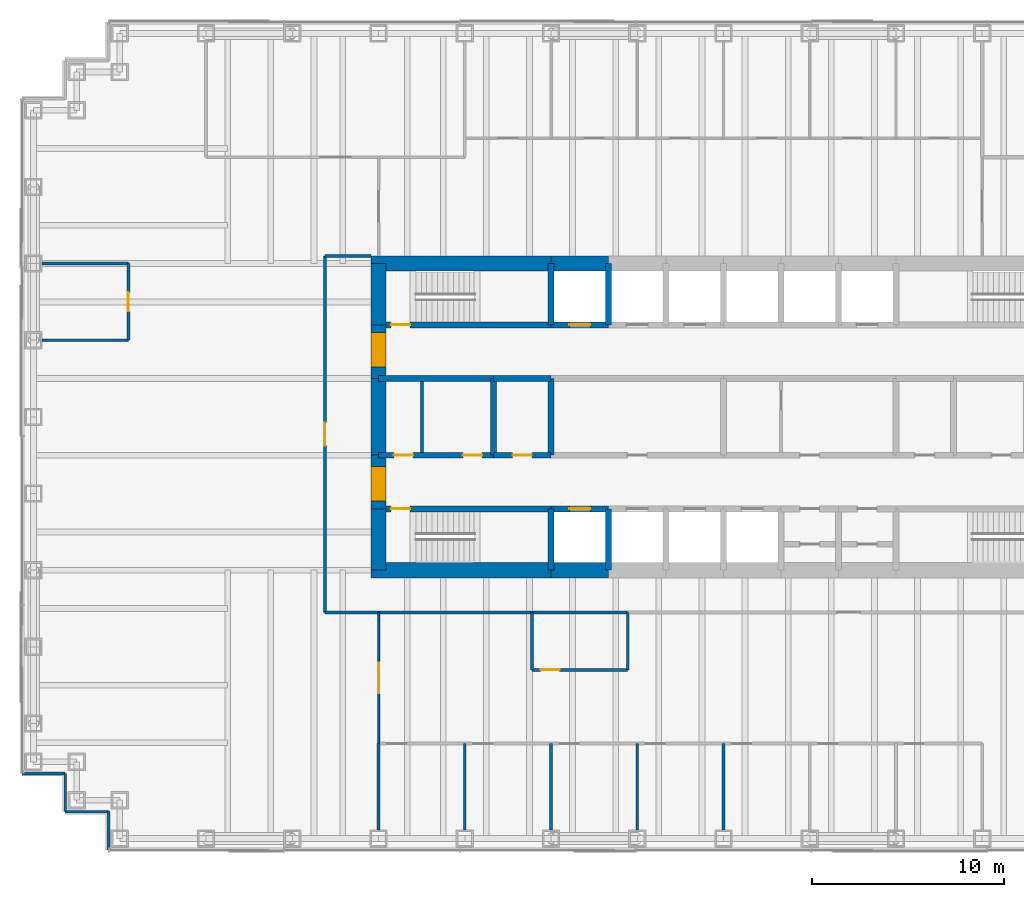
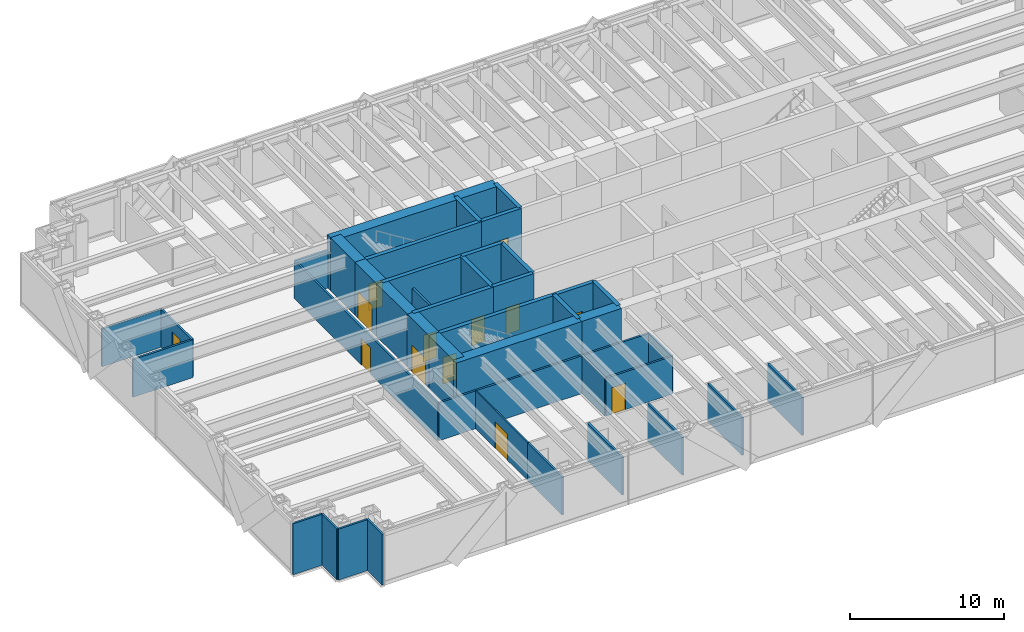
# One storey, part 13 of 17: 44 walls, 13 doors, 13 openings.
"""IFC4 building model written with IfcOpenShell, lengths in metres."""

from ifc_helpers import new_model, si_unit, direction, frame, frame_2d, origin, place, context, subcontext, project, spatial, rectangle, extrude, material, layer, layer_set, type_object, element, fill, save


model = new_model("IFC4")

# Units and contexts
model_context = context("Model", 3, precision=1e-05, world=origin(), true_north=direction((0.0, 1.0)))
body_context = subcontext(model_context, "Body", "Model", "MODEL_VIEW")
ifc_project = project(units=[si_unit("LENGTHUNIT", "METRE"), si_unit("AREAUNIT", "SQUARE_METRE"), si_unit("VOLUMEUNIT", "CUBIC_METRE"), si_unit("PLANEANGLEUNIT", "RADIAN"), si_unit("MASSUNIT", "GRAM", prefix="KILO")], contexts=[model_context])

# Site, building, storey
site_placement = place(None, origin())
site = spatial("IfcSite", under=ifc_project, at=site_placement, CompositionType="ELEMENT")
building_placement = place(site_placement, origin())
building = spatial("IfcBuilding", under=site, at=building_placement, Name="Rheinbord Bourse Tower", CompositionType="ELEMENT")
storey_placement = place(building_placement, frame((0.0, 0.0, 190.0)))
storey = spatial("IfcBuildingStorey", under=building, at=storey_placement, Name="L42", CompositionType="ELEMENT", Elevation=190.0)

# Wall, opening, door
ifc_material_1 = material(Name="Concrete C50/60", Category="concrete")
ifc_layer_1 = layer(ifc_material_1, 0.300048828125)
ifc_layer_set_1 = layer_set([ifc_layer_1], Name="CORE INNER WALL 300")
wall_type_1 = type_object("IfcWallType", Name="CORE INNER WALL 300", PredefinedType="SOLIDWALL", material=ifc_layer_set_1)
wall_1_placement = place(storey_placement, frame((18.0, 19.199951171875, 0.0), z_axis=(0.0, 0.0, 1.0), x_axis=(1.0, 0.0, 0.0)))
wall_1 = element("IfcWall", 1, at=wall_1_placement, inside=storey, type_object=wall_type_1, Name="Core wall A1 L42", PredefinedType="SOLIDWALL", context=body_context, shape_type="SweptSolid", body=[
    extrude(rectangle(XDim=9.0, YDim=0.300048828125, at=frame_2d((4.5, 0.0))), origin(), (0.0, 0.0, 1.0), 4.199951171875),
])
opening_1_placement = place(wall_1_placement, frame((0.64990234375, 0.0, 0.0)))
opening_1 = element("IfcOpeningElement", 2, at=opening_1_placement, cuts=wall_1, Name="Opening 4210", PredefinedType="OPENING", context=body_context, shape_type="SweptSolid", body=[
    extrude(rectangle(XDim=1.0, YDim=2.10009765625, at=frame_2d((0.5, 1.050048828125))), frame((0.0, 0.159912109375, 0.0), z_axis=(0.0, -1.0, 0.0), x_axis=(1.0, 0.0, 0.0)), (0.0, 0.0, 1.0), 0.320068359375),
])
ifc_material_2 = material(Name="Steel door", Category="steel")
door_type_1 = type_object("IfcDoorType", Name="DOOR 1000 EI30", OperationType="SINGLE_SWING_LEFT", PredefinedType="DOOR", material=ifc_material_2)
door_1_placement = place(opening_1_placement, origin())
door_1 = element("IfcDoor", 3, at=door_1_placement, inside=storey, type_object=door_type_1, Name="Stair door ST1 L42", OperationType="SINGLE_SWING_LEFT", OverallHeight=2.10009765625, OverallWidth=1.0, PredefinedType="DOOR", context=body_context, shape_type="SweptSolid", body=[
    extrude(rectangle(XDim=1.0, YDim=2.10009765625, at=frame_2d((0.5, 1.050048828125))), frame((0.0, 0.02490234375, 0.0), z_axis=(0.0, -1.0, 0.0), x_axis=(1.0, 0.0, 0.0)), (0.0, 0.0, 1.0), 0.050048828125),
])
fill(opening_1, door_1)

wall_2_placement = place(storey_placement, frame((27.0, 19.199951171875, 0.0), z_axis=(0.0, 0.0, 1.0), x_axis=(1.0, 0.0, 0.0)))
wall_2 = element("IfcWall", 4, at=wall_2_placement, inside=storey, type_object=wall_type_1, Name="Core wall A2 L42", PredefinedType="SOLIDWALL", context=body_context, shape_type="SweptSolid", body=[
    extrude(rectangle(XDim=3.0, YDim=0.300048828125, at=frame_2d((1.5, 0.0))), origin(), (0.0, 0.0, 1.0), 4.199951171875),
])
opening_2_placement = place(wall_2_placement, frame((0.949951171875, 0.0, 0.0)))
opening_2 = element("IfcOpeningElement", 5, at=opening_2_placement, cuts=wall_2, Name="Opening FL1", PredefinedType="OPENING", context=body_context, shape_type="SweptSolid", body=[
    extrude(rectangle(XDim=1.10009765625, YDim=2.199951171875, at=frame_2d((0.550048828125, 1.10009765625))), frame((0.0, 0.159912109375, 0.0), z_axis=(0.0, -1.0, 0.0), x_axis=(1.0, 0.0, 0.0)), (0.0, 0.0, 1.0), 0.320068359375),
])
ifc_material_3 = material(Name="Steel landing door", Category="steel")
door_type_2 = type_object("IfcDoorType", Name="LIFT LANDING DOOR 1100", OperationType="DOUBLE_DOOR_SLIDING", PredefinedType="USERDEFINED", material=ifc_material_3)
door_2_placement = place(opening_2_placement, origin())
door_2 = element("IfcDoor", 6, at=door_2_placement, inside=storey, type_object=door_type_2, Name="Lift landing door FL1 L42", ObjectType="LIFT LANDING DOOR", OperationType="DOUBLE_DOOR_SLIDING", OverallHeight=2.199951171875, OverallWidth=1.10009765625, PredefinedType="USERDEFINED", context=body_context, shape_type="SweptSolid", body=[
    extrude(rectangle(XDim=1.10009765625, YDim=2.199951171875, at=frame_2d((0.550048828125, 1.10009765625))), frame((0.0, 0.02490234375, 0.0), z_axis=(0.0, -1.0, 0.0), x_axis=(1.0, 0.0, 0.0)), (0.0, 0.0, 1.0), 0.050048828125),
])
fill(opening_2, door_2)

wall_3_placement = place(storey_placement, frame((18.0, 28.800048828125, 0.0), z_axis=(0.0, 0.0, 1.0), x_axis=(1.0, 0.0, 0.0)))
wall_3 = element("IfcWall", 7, at=wall_3_placement, inside=storey, type_object=wall_type_1, Name="Core wall B1 L42", PredefinedType="SOLIDWALL", context=body_context, shape_type="SweptSolid", body=[
    extrude(rectangle(XDim=9.0, YDim=0.300048828125, at=frame_2d((4.5, 0.0))), origin(), (0.0, 0.0, 1.0), 4.199951171875),
])
opening_3_placement = place(wall_3_placement, frame((0.64990234375, 0.0, 0.0)))
opening_3 = element("IfcOpeningElement", 8, at=opening_3_placement, cuts=wall_3, Name="Opening 4220", PredefinedType="OPENING", context=body_context, shape_type="SweptSolid", body=[
    extrude(rectangle(XDim=1.0, YDim=2.10009765625, at=frame_2d((0.5, 1.050048828125))), frame((0.0, 0.159912109375, 0.0), z_axis=(0.0, -1.0, 0.0), x_axis=(1.0, 0.0, 0.0)), (0.0, 0.0, 1.0), 0.320068359375),
])
door_3_placement = place(opening_3_placement, origin())
door_3 = element("IfcDoor", 9, at=door_3_placement, inside=storey, type_object=door_type_1, Name="Stair door ST2 L42", OperationType="SINGLE_SWING_LEFT", OverallHeight=2.10009765625, OverallWidth=1.0, PredefinedType="DOOR", context=body_context, shape_type="SweptSolid", body=[
    extrude(rectangle(XDim=1.0, YDim=2.10009765625, at=frame_2d((0.5, 1.050048828125))), frame((0.0, 0.02490234375, 0.0), z_axis=(0.0, -1.0, 0.0), x_axis=(1.0, 0.0, 0.0)), (0.0, 0.0, 1.0), 0.050048828125),
])
fill(opening_3, door_3)

wall_4_placement = place(storey_placement, frame((27.0, 28.800048828125, 0.0), z_axis=(0.0, 0.0, 1.0), x_axis=(1.0, 0.0, 0.0)))
wall_4 = element("IfcWall", 10, at=wall_4_placement, inside=storey, type_object=wall_type_1, Name="Core wall B2 L42", PredefinedType="SOLIDWALL", context=body_context, shape_type="SweptSolid", body=[
    extrude(rectangle(XDim=3.0, YDim=0.300048828125, at=frame_2d((1.5, 0.0))), origin(), (0.0, 0.0, 1.0), 4.199951171875),
])
opening_4_placement = place(wall_4_placement, frame((0.949951171875, 0.0, 0.0)))
opening_4 = element("IfcOpeningElement", 11, at=opening_4_placement, cuts=wall_4, Name="Opening GL1", PredefinedType="OPENING", context=body_context, shape_type="SweptSolid", body=[
    extrude(rectangle(XDim=1.10009765625, YDim=2.199951171875, at=frame_2d((0.550048828125, 1.10009765625))), frame((0.0, 0.159912109375, 0.0), z_axis=(0.0, -1.0, 0.0), x_axis=(1.0, 0.0, 0.0)), (0.0, 0.0, 1.0), 0.320068359375),
])
door_4_placement = place(opening_4_placement, origin())
door_4 = element("IfcDoor", 12, at=door_4_placement, inside=storey, type_object=door_type_2, Name="Lift landing door GL1 L42", ObjectType="LIFT LANDING DOOR", OperationType="DOUBLE_DOOR_SLIDING", OverallHeight=2.199951171875, OverallWidth=1.10009765625, PredefinedType="USERDEFINED", context=body_context, shape_type="SweptSolid", body=[
    extrude(rectangle(XDim=1.10009765625, YDim=2.199951171875, at=frame_2d((0.550048828125, 1.10009765625))), frame((0.0, 0.02490234375, 0.0), z_axis=(0.0, -1.0, 0.0), x_axis=(1.0, 0.0, 0.0)), (0.0, 0.0, 1.0), 0.050048828125),
])
fill(opening_4, door_4)

# Wall, openings, doors
wall_5_placement = place(storey_placement, frame((18.0, 22.0, 0.0), z_axis=(0.0, 0.0, 1.0), x_axis=(1.0, 0.0, 0.0)))
wall_5 = element("IfcWall", 13, at=wall_5_placement, inside=storey, type_object=wall_type_1, Name="Core wall C1 L42", PredefinedType="SOLIDWALL", context=body_context, shape_type="SweptSolid", body=[
    extrude(rectangle(XDim=6.0, YDim=0.300048828125, at=frame_2d((3.0, 0.0))), origin(), (0.0, 0.0, 1.0), 4.199951171875),
])
opening_5_placement = place(wall_5_placement, frame((4.39990234375, 0.0, 0.0)))
opening_5 = element("IfcOpeningElement", 14, at=opening_5_placement, cuts=wall_5, Name="Opening 42R1", PredefinedType="OPENING", context=body_context, shape_type="SweptSolid", body=[
    extrude(rectangle(XDim=1.0, YDim=2.10009765625, at=frame_2d((0.5, 1.050048828125))), frame((0.0, 0.159912109375, 0.0), z_axis=(0.0, -1.0, 0.0), x_axis=(1.0, 0.0, 0.0)), (0.0, 0.0, 1.0), 0.320068359375),
])
opening_6_placement = place(wall_5_placement, frame((0.800048828125, 0.0, 0.0)))
opening_6 = element("IfcOpeningElement", 15, at=opening_6_placement, cuts=wall_5, Name="Opening 42R9", PredefinedType="OPENING", context=body_context, shape_type="SweptSolid", body=[
    extrude(rectangle(XDim=1.0, YDim=2.10009765625, at=frame_2d((0.5, 1.050048828125))), frame((0.0, 0.159912109375, 0.0), z_axis=(0.0, -1.0, 0.0), x_axis=(1.0, 0.0, 0.0)), (0.0, 0.0, 1.0), 0.320068359375),
])
door_5_placement = place(opening_6_placement, origin())
door_5 = element("IfcDoor", 16, at=door_5_placement, inside=storey, type_object=door_type_1, Name="Staff shower door L42", OperationType="SINGLE_SWING_LEFT", OverallHeight=2.10009765625, OverallWidth=1.0, PredefinedType="DOOR", context=body_context, shape_type="SweptSolid", body=[
    extrude(rectangle(XDim=1.0, YDim=2.10009765625, at=frame_2d((0.5, 1.050048828125))), frame((0.0, 0.02490234375, 0.0), z_axis=(0.0, -1.0, 0.0), x_axis=(1.0, 0.0, 0.0)), (0.0, 0.0, 1.0), 0.050048828125),
])
fill(opening_6, door_5)
ifc_material_4 = material(Name="Timber door", Category="wood")
door_type_3 = type_object("IfcDoorType", Name="DOOR 1000 WC", OperationType="SINGLE_SWING_LEFT", PredefinedType="DOOR", material=ifc_material_4)
door_6_placement = place(opening_5_placement, origin())
door_6 = element("IfcDoor", 17, at=door_6_placement, inside=storey, type_object=door_type_3, Name="WC men door L42", OperationType="SINGLE_SWING_RIGHT", OverallHeight=2.10009765625, OverallWidth=1.0, PredefinedType="DOOR", context=body_context, shape_type="SweptSolid", body=[
    extrude(rectangle(XDim=1.0, YDim=2.10009765625, at=frame_2d((0.5, 1.050048828125))), frame((0.0, 0.02490234375, 0.0), z_axis=(0.0, -1.0, 0.0), x_axis=(1.0, 0.0, 0.0)), (0.0, 0.0, 1.0), 0.050048828125),
])
fill(opening_5, door_6)

# Wall, opening, door
wall_6_placement = place(storey_placement, frame((24.0, 22.0, 0.0), z_axis=(0.0, 0.0, 1.0), x_axis=(1.0, 0.0, 0.0)))
wall_6 = element("IfcWall", 18, at=wall_6_placement, inside=storey, type_object=wall_type_1, Name="Core wall C2 L42", PredefinedType="SOLIDWALL", context=body_context, shape_type="SweptSolid", body=[
    extrude(rectangle(XDim=3.0, YDim=0.300048828125, at=frame_2d((1.5, 0.0))), origin(), (0.0, 0.0, 1.0), 4.199951171875),
])
opening_7_placement = place(wall_6_placement, frame((1.0, 0.0, 0.0)))
opening_7 = element("IfcOpeningElement", 19, at=opening_7_placement, cuts=wall_6, Name="Opening 42R2", PredefinedType="OPENING", context=body_context, shape_type="SweptSolid", body=[
    extrude(rectangle(XDim=1.0, YDim=2.10009765625, at=frame_2d((0.5, 1.050048828125))), frame((0.0, 0.159912109375, 0.0), z_axis=(0.0, -1.0, 0.0), x_axis=(1.0, 0.0, 0.0)), (0.0, 0.0, 1.0), 0.320068359375),
])
door_7_placement = place(opening_7_placement, origin())
door_7 = element("IfcDoor", 20, at=door_7_placement, inside=storey, type_object=door_type_3, Name="Accessible WC door L42", OperationType="SINGLE_SWING_LEFT", OverallHeight=2.10009765625, OverallWidth=1.0, PredefinedType="DOOR", context=body_context, shape_type="SweptSolid", body=[
    extrude(rectangle(XDim=1.0, YDim=2.10009765625, at=frame_2d((0.5, 1.050048828125))), frame((0.0, 0.02490234375, 0.0), z_axis=(0.0, -1.0, 0.0), x_axis=(1.0, 0.0, 0.0)), (0.0, 0.0, 1.0), 0.050048828125),
])
fill(opening_7, door_7)

# Walls
wall_7_placement = place(storey_placement, frame((18.0, 26.0, 0.0), z_axis=(0.0, 0.0, 1.0), x_axis=(1.0, 0.0, 0.0)))
element("IfcWall", 21, at=wall_7_placement, inside=storey, type_object=wall_type_1, Name="Core wall D1 L42", PredefinedType="SOLIDWALL", context=body_context, shape_type="SweptSolid", body=[
    extrude(rectangle(XDim=6.0, YDim=0.300048828125, at=frame_2d((3.0, 0.0))), origin(), (0.0, 0.0, 1.0), 4.199951171875),
])
wall_8_placement = place(storey_placement, frame((24.0, 26.0, 0.0), z_axis=(0.0, 0.0, 1.0), x_axis=(1.0, 0.0, 0.0)))
element("IfcWall", 22, at=wall_8_placement, inside=storey, type_object=wall_type_1, Name="Core wall D2 L42", PredefinedType="SOLIDWALL", context=body_context, shape_type="SweptSolid", body=[
    extrude(rectangle(XDim=3.0, YDim=0.300048828125, at=frame_2d((1.5, 0.0))), origin(), (0.0, 0.0, 1.0), 4.199951171875),
])
for number, where, z_axis, x_axis, name in (
    (23, (27.0, 16.0, 0.0), (0.0, 0.0, 1.0), (0.0, 1.0, 0.0), "Core wall SX27 L42"),
    (24, (27.0, 28.800048828125, 0.0), (0.0, 0.0, 1.0), (0.0, 1.0, 0.0), "Core wall NX27 L42"),
    (25, (30.0, 16.0, 0.0), (0.0, 0.0, 1.0), (0.0, 1.0, 0.0), "Core wall SX30 L42"),
    (26, (30.0, 28.800048828125, 0.0), (0.0, 0.0, 1.0), (0.0, 1.0, 0.0), "Core wall NX30 L42"),
):
    element("IfcWall", number, at=place(storey_placement, frame(where, z_axis=z_axis, x_axis=x_axis)), inside=storey, type_object=wall_type_1, Name=name, PredefinedType="SOLIDWALL", context=body_context, shape_type="SweptSolid", body=[
        extrude(rectangle(XDim=3.199951171875, YDim=0.300048828125, at=frame_2d((1.60009765625, 0.0))), origin(), (0.0, 0.0, 1.0), 4.199951171875),
    ])
for number, where, z_axis, x_axis, name in (
    (27, (24.0, 22.0, 0.0), (0.0, 0.0, 1.0), (0.0, 1.0, 0.0), "Core wall MX24 L42"),
    (28, (27.0, 22.0, 0.0), (0.0, 0.0, 1.0), (0.0, 1.0, 0.0), "Core wall MX27 L42"),
):
    element("IfcWall", number, at=place(storey_placement, frame(where, z_axis=z_axis, x_axis=x_axis)), inside=storey, type_object=wall_type_1, Name=name, PredefinedType="SOLIDWALL", context=body_context, shape_type="SweptSolid", body=[
        extrude(rectangle(XDim=4.0, YDim=0.300048828125, at=frame_2d((2.0, 0.0))), origin(), (0.0, 0.0, 1.0), 4.199951171875),
    ])
ifc_material_5 = material(Name="Gypsum board fire partition", Category="gypsum board")
ifc_layer_2 = layer(ifc_material_5, 0.14990234375)
ifc_layer_set_2 = layer_set([ifc_layer_2], Name="CORE PARTITION 150 EI30")
wall_type_2 = type_object("IfcWallType", Name="CORE PARTITION 150 EI30", PredefinedType="PARTITIONING", material=ifc_layer_set_2)
wall_9_placement = place(storey_placement, frame((20.27490234375, 22.14990234375, 0.0), z_axis=(0.0, 0.0, 1.0), x_axis=(0.0, 1.0, 0.0)))
element("IfcWall", 29, at=wall_9_placement, inside=storey, type_object=wall_type_2, Name="Core partition L42-2", PredefinedType="PARTITIONING", context=body_context, shape_type="SweptSolid", body=[
    extrude(rectangle(XDim=3.7001953125, YDim=0.14990234375, at=frame_2d((1.85009765625, 0.0))), origin(), (0.0, 0.0, 1.0), 3.0),
])
ifc_material_6 = material(Name="Concrete C50/60", Category="concrete")
ifc_layer_3 = layer(ifc_material_6, 0.800048828125)
ifc_layer_set_3 = layer_set([ifc_layer_3], Name="CORE WALL 800")
wall_type_3 = type_object("IfcWallType", Name="CORE WALL 800", PredefinedType="SHEAR", material=ifc_layer_set_3)
wall_10_placement = place(storey_placement, frame((17.60009765625, 16.0, 0.0), z_axis=(0.0, 0.0, 1.0), x_axis=(1.0, 0.0, 0.0)))
element("IfcWall", 30, at=wall_10_placement, inside=storey, type_object=wall_type_3, Name="Core wall S1 L42", PredefinedType="SHEAR", context=body_context, shape_type="SweptSolid", body=[
    extrude(rectangle(XDim=9.39990234375, YDim=0.800048828125, at=frame_2d((4.699951171875, 0.0))), origin(), (0.0, 0.0, 1.0), 4.199951171875),
])
for number, where, z_axis, x_axis, name in (
    (31, (27.0, 16.0, 0.0), (0.0, 0.0, 1.0), (1.0, 0.0, 0.0), "Core wall S2 L42"),
    (32, (30.0, 32.0, 0.0), (0.0, 0.0, 1.0), (-1.0, 0.0, 0.0), "Core wall N7 L42"),
):
    element("IfcWall", number, at=place(storey_placement, frame(where, z_axis=z_axis, x_axis=x_axis)), inside=storey, type_object=wall_type_3, Name=name, PredefinedType="SHEAR", context=body_context, shape_type="SweptSolid", body=[
        extrude(rectangle(XDim=3.0, YDim=0.800048828125, at=frame_2d((1.5, 0.0))), origin(), (0.0, 0.0, 1.0), 4.199951171875),
    ])
wall_11_placement = place(storey_placement, frame((27.0, 32.0, 0.0), z_axis=(0.0, 0.0, 1.0), x_axis=(-1.0, 0.0, 0.0)))
element("IfcWall", 33, at=wall_11_placement, inside=storey, type_object=wall_type_3, Name="Core wall N8 L42", PredefinedType="SHEAR", context=body_context, shape_type="SweptSolid", body=[
    extrude(rectangle(XDim=9.39990234375, YDim=0.800048828125, at=frame_2d((4.699951171875, 0.0))), origin(), (0.0, 0.0, 1.0), 4.199951171875),
])
wall_12_placement = place(storey_placement, frame((18.0, 32.0, 0.0), z_axis=(0.0, 0.0, 1.0), x_axis=(0.0, -1.0, 0.0)))
element("IfcWall", 34, at=wall_12_placement, inside=storey, type_object=wall_type_3, Name="Core wall W1 L42", PredefinedType="SHEAR", context=body_context, shape_type="SweptSolid", body=[
    extrude(rectangle(XDim=3.199951171875, YDim=0.800048828125, at=frame_2d((1.60009765625, 0.0))), origin(), (0.0, 0.0, 1.0), 4.199951171875),
])

# Wall, opening, door
wall_13_placement = place(storey_placement, frame((18.0, 28.800048828125, 0.0), z_axis=(0.0, 0.0, 1.0), x_axis=(0.0, -1.0, 0.0)))
wall_13 = element("IfcWall", 35, at=wall_13_placement, inside=storey, type_object=wall_type_3, Name="Core wall W2 L42", PredefinedType="SHEAR", context=body_context, shape_type="SweptSolid", body=[
    extrude(rectangle(XDim=2.800048828125, YDim=0.800048828125, at=frame_2d((1.39990234375, 0.0))), origin(), (0.0, 0.0, 1.0), 4.199951171875),
])
opening_8_placement = place(wall_13_placement, frame((0.39990234375, 0.0, 0.0)))
opening_8 = element("IfcOpeningElement", 36, at=opening_8_placement, cuts=wall_13, Name="Opening 42L2", PredefinedType="OPENING", context=body_context, shape_type="SweptSolid", body=[
    extrude(rectangle(XDim=1.800048828125, YDim=2.10009765625, at=frame_2d((0.89990234375, 1.050048828125))), frame((0.0, 0.409912109375, 0.0), z_axis=(0.0, -1.0, 0.0), x_axis=(1.0, 0.0, 0.0)), (0.0, 0.0, 1.0), 0.820068359375),
])
ifc_material_7 = material(Name="Steel door", Category="steel")
door_type_4 = type_object("IfcDoorType", Name="DOOR 1800 EI30 DOUBLE", OperationType="DOUBLE_DOOR_DOUBLE_SWING", PredefinedType="DOOR", material=ifc_material_7)
door_8_placement = place(opening_8_placement, origin())
door_8 = element("IfcDoor", 37, at=door_8_placement, inside=storey, type_object=door_type_4, Name="Lobby door 2 L42", OperationType="SINGLE_SWING_LEFT", OverallHeight=2.10009765625, OverallWidth=1.800048828125, PredefinedType="DOOR", context=body_context, shape_type="SweptSolid", body=[
    extrude(rectangle(XDim=1.800048828125, YDim=2.10009765625, at=frame_2d((0.89990234375, 1.050048828125))), frame((0.0, 0.39990234375, 0.0), z_axis=(0.0, -1.0, 0.0), x_axis=(1.0, 0.0, 0.0)), (0.0, 0.0, 1.0), 0.799560546875),
])
fill(opening_8, door_8)

# Wall
wall_14_placement = place(storey_placement, frame((18.0, 26.0, 0.0), z_axis=(0.0, 0.0, 1.0), x_axis=(0.0, -1.0, 0.0)))
element("IfcWall", 38, at=wall_14_placement, inside=storey, type_object=wall_type_3, Name="Core wall W3 L42", PredefinedType="SHEAR", context=body_context, shape_type="SweptSolid", body=[
    extrude(rectangle(XDim=4.0, YDim=0.800048828125, at=frame_2d((2.0, 0.0))), origin(), (0.0, 0.0, 1.0), 4.199951171875),
])

# Wall, opening, door
wall_15_placement = place(storey_placement, frame((18.0, 22.0, 0.0), z_axis=(0.0, 0.0, 1.0), x_axis=(0.0, -1.0, 0.0)))
wall_15 = element("IfcWall", 39, at=wall_15_placement, inside=storey, type_object=wall_type_3, Name="Core wall W4 L42", PredefinedType="SHEAR", context=body_context, shape_type="SweptSolid", body=[
    extrude(rectangle(XDim=2.800048828125, YDim=0.800048828125, at=frame_2d((1.39990234375, 0.0))), origin(), (0.0, 0.0, 1.0), 4.199951171875),
])
opening_9_placement = place(wall_15_placement, frame((0.60009765625, 0.0, 0.0)))
opening_9 = element("IfcOpeningElement", 40, at=opening_9_placement, cuts=wall_15, Name="Opening 42L1", PredefinedType="OPENING", context=body_context, shape_type="SweptSolid", body=[
    extrude(rectangle(XDim=1.800048828125, YDim=2.10009765625, at=frame_2d((0.89990234375, 1.050048828125))), frame((0.0, 0.409912109375, 0.0), z_axis=(0.0, -1.0, 0.0), x_axis=(1.0, 0.0, 0.0)), (0.0, 0.0, 1.0), 0.820068359375),
])
door_9_placement = place(opening_9_placement, origin())
door_9 = element("IfcDoor", 41, at=door_9_placement, inside=storey, type_object=door_type_4, Name="Lobby door 1 L42", OperationType="SINGLE_SWING_LEFT", OverallHeight=2.10009765625, OverallWidth=1.800048828125, PredefinedType="DOOR", context=body_context, shape_type="SweptSolid", body=[
    extrude(rectangle(XDim=1.800048828125, YDim=2.10009765625, at=frame_2d((0.89990234375, 1.050048828125))), frame((0.0, 0.39990234375, 0.0), z_axis=(0.0, -1.0, 0.0), x_axis=(1.0, 0.0, 0.0)), (0.0, 0.0, 1.0), 0.799560546875),
])
fill(opening_9, door_9)

# Walls
wall_16_placement = place(storey_placement, frame((18.0, 19.199951171875, 0.0), z_axis=(0.0, 0.0, 1.0), x_axis=(0.0, -1.0, 0.0)))
element("IfcWall", 42, at=wall_16_placement, inside=storey, type_object=wall_type_3, Name="Core wall W5 L42", PredefinedType="SHEAR", context=body_context, shape_type="SweptSolid", body=[
    extrude(rectangle(XDim=3.199951171875, YDim=0.800048828125, at=frame_2d((1.60009765625, 0.0))), origin(), (0.0, 0.0, 1.0), 4.199951171875),
])
ifc_material_8 = material(Name="Black metal rainscreen panel", Category="aluminium")
ifc_layer_4 = layer(ifc_material_8, 0.14990234375)
ifc_layer_set_4 = layer_set([ifc_layer_4], Name="CORNER PIER CLADDING 150")
wall_type_4 = type_object("IfcWallType", Name="CORNER PIER CLADDING 150", PredefinedType="ELEMENTEDWALL", material=ifc_layer_set_4)
wall_17_placement = place(storey_placement, frame((-0.60009765625, 5.39990234375, 0.0), z_axis=(0.0, 0.0, 1.0), x_axis=(1.0, 0.0, 0.0)))
element("IfcWall", 43, at=wall_17_placement, inside=storey, type_object=wall_type_4, Name="Corner pier cladding L42 17", PredefinedType="ELEMENTEDWALL", context=body_context, shape_type="SweptSolid", body=[
    extrude(rectangle(XDim=2.25, YDim=0.14990234375, at=frame_2d((1.125, 0.0))), origin(), (0.0, 0.0, 1.0), 4.0400390625),
])
wall_18_placement = place(storey_placement, frame((1.64990234375, 5.39990234375, 0.0), z_axis=(0.0, 0.0, 1.0), x_axis=(0.0, -1.0, 0.0)))
element("IfcWall", 44, at=wall_18_placement, inside=storey, type_object=wall_type_4, Name="Corner pier cladding L42 18", PredefinedType="ELEMENTEDWALL", context=body_context, shape_type="SweptSolid", body=[
    extrude(rectangle(XDim=2.0, YDim=0.14990234375, at=frame_2d((1.0, 0.0))), origin(), (0.0, 0.0, 1.0), 4.0400390625),
])
wall_19_placement = place(storey_placement, frame((1.64990234375, 3.39990234375, 0.0), z_axis=(0.0, 0.0, 1.0), x_axis=(1.0, 0.0, 0.0)))
element("IfcWall", 45, at=wall_19_placement, inside=storey, type_object=wall_type_4, Name="Corner pier cladding L42 19", PredefinedType="ELEMENTEDWALL", context=body_context, shape_type="SweptSolid", body=[
    extrude(rectangle(XDim=2.25, YDim=0.14990234375, at=frame_2d((1.125, 0.0))), origin(), (0.0, 0.0, 1.0), 4.0400390625),
])
wall_20_placement = place(storey_placement, frame((3.89990234375, 3.39990234375, 0.0), z_axis=(0.0, 0.0, 1.0), x_axis=(0.0, -1.0, 0.0)))
element("IfcWall", 46, at=wall_20_placement, inside=storey, type_object=wall_type_4, Name="Corner pier cladding L42 20", PredefinedType="ELEMENTEDWALL", context=body_context, shape_type="SweptSolid", body=[
    extrude(rectangle(XDim=2.0, YDim=0.14990234375, at=frame_2d((1.0, 0.0))), origin(), (0.0, 0.0, 1.0), 4.0400390625),
])
ifc_material_9 = material(Name="Gypsum board corridor partition", Category="gypsum board")
ifc_layer_5 = layer(ifc_material_9, 0.14990234375)
ifc_layer_set_5 = layer_set([ifc_layer_5], Name="CORRIDOR PARTITION 150 EI30")
wall_type_5 = type_object("IfcWallType", Name="CORRIDOR PARTITION 150 EI30", PredefinedType="PARTITIONING", material=ifc_layer_set_5)
wall_21_placement = place(storey_placement, frame((15.199951171875, 13.800048828125, 0.0), z_axis=(0.0, 0.0, 1.0), x_axis=(1.0, 0.0, 0.0)))
element("IfcWall", 47, at=wall_21_placement, inside=storey, type_object=wall_type_5, Name="Partition L42-03", PredefinedType="PARTITIONING", context=body_context, shape_type="SweptSolid", body=[
    extrude(rectangle(XDim=10.800048828125, YDim=0.14990234375, at=frame_2d((5.39990234375, 0.0))), origin(), (0.0, 0.0, 1.0), 3.0),
])
wall_22_placement = place(storey_placement, frame((15.199951171875, 32.39990234375, 0.0), z_axis=(0.0, 0.0, 1.0), x_axis=(1.0, 0.0, 0.0)))
element("IfcWall", 48, at=wall_22_placement, inside=storey, type_object=wall_type_5, Name="Partition L42-10", PredefinedType="PARTITIONING", context=body_context, shape_type="SweptSolid", body=[
    extrude(rectangle(XDim=2.400146484375, YDim=0.14990234375, at=frame_2d((1.2001953125, 0.0))), origin(), (0.0, 0.0, 1.0), 3.0),
])

# Wall, opening, door
wall_23_placement = place(storey_placement, frame((15.199951171875, 13.800048828125, 0.0), z_axis=(0.0, 0.0, 1.0), x_axis=(0.0, 1.0, 0.0)))
wall_23 = element("IfcWall", 49, at=wall_23_placement, inside=storey, type_object=wall_type_5, Name="Partition L42-17", PredefinedType="PARTITIONING", context=body_context, shape_type="SweptSolid", body=[
    extrude(rectangle(XDim=18.599853515625, YDim=0.14990234375, at=frame_2d((9.2998046875, 0.0))), origin(), (0.0, 0.0, 1.0), 3.0),
])
opening_10_placement = place(wall_23_placement, frame((8.699951171875, 0.0, 0.0)))
opening_10 = element("IfcOpeningElement", 50, at=opening_10_placement, cuts=wall_23, Name="Opening 42D23", PredefinedType="OPENING", context=body_context, shape_type="SweptSolid", body=[
    extrude(rectangle(XDim=1.199951171875, YDim=2.10009765625, at=frame_2d((0.60009765625, 1.050048828125))), frame((0.0, 0.0849609375, 0.0), z_axis=(0.0, -1.0, 0.0), x_axis=(1.0, 0.0, 0.0)), (0.0, 0.0, 1.0), 0.169921875),
])
ifc_material_10 = material(Name="Timber fire door", Category="wood")
door_type_5 = type_object("IfcDoorType", Name="SUITE ENTRANCE DOOR 1200 EI30", OperationType="SINGLE_SWING_LEFT", PredefinedType="DOOR", material=ifc_material_10)
door_10_placement = place(opening_10_placement, origin())
door_10 = element("IfcDoor", 51, at=door_10_placement, inside=storey, type_object=door_type_5, Name="Suite entrance 1 door L42", OperationType="SINGLE_SWING_LEFT", OverallHeight=2.10009765625, OverallWidth=1.199951171875, PredefinedType="DOOR", context=body_context, shape_type="SweptSolid", body=[
    extrude(rectangle(XDim=1.199951171875, YDim=2.10009765625, at=frame_2d((0.60009765625, 1.050048828125))), frame((0.0, 0.02490234375, 0.0), z_axis=(0.0, -1.0, 0.0), x_axis=(1.0, 0.0, 0.0)), (0.0, 0.0, 1.0), 0.050048828125),
])
fill(opening_10, door_10)

ifc_material_11 = material(Name="Gypsum board fire partition", Category="gypsum board")
ifc_layer_6 = layer(ifc_material_11, 0.14990234375)
ifc_layer_set_6 = layer_set([ifc_layer_6], Name="FIRE PARTITION 150 EI60")
wall_type_6 = type_object("IfcWallType", Name="FIRE PARTITION 150 EI60", PredefinedType="PARTITIONING", material=ifc_layer_set_6)
wall_24_placement = place(storey_placement, frame((26.0, 10.800048828125, 0.0), z_axis=(0.0, 0.0, 1.0), x_axis=(1.0, 0.0, 0.0)))
wall_24 = element("IfcWall", 52, at=wall_24_placement, inside=storey, type_object=wall_type_6, Name="Partition L42-02", PredefinedType="PARTITIONING", context=body_context, shape_type="SweptSolid", body=[
    extrude(rectangle(XDim=5.0, YDim=0.14990234375, at=frame_2d((2.5, 0.0))), origin(), (0.0, 0.0, 1.0), 3.0),
])
opening_11_placement = place(wall_24_placement, frame((0.449951171875, 0.0, 0.0)))
opening_11 = element("IfcOpeningElement", 53, at=opening_11_placement, cuts=wall_24, Name="Opening 42D08", PredefinedType="OPENING", context=body_context, shape_type="SweptSolid", body=[
    extrude(rectangle(XDim=1.0, YDim=2.10009765625, at=frame_2d((0.5, 1.050048828125))), frame((0.0, 0.0849609375, 0.0), z_axis=(0.0, -1.0, 0.0), x_axis=(1.0, 0.0, 0.0)), (0.0, 0.0, 1.0), 0.169921875),
])
ifc_material_12 = material(Name="Timber fire door", Category="wood")
door_type_6 = type_object("IfcDoorType", Name="FIRE DOOR 1000 EI60", OperationType="SINGLE_SWING_LEFT", PredefinedType="DOOR", material=ifc_material_12)
door_11_placement = place(opening_11_placement, origin())
door_11 = element("IfcDoor", 54, at=door_11_placement, inside=storey, type_object=door_type_6, Name="Comms room door L42", OperationType="SINGLE_SWING_LEFT", OverallHeight=2.10009765625, OverallWidth=1.0, PredefinedType="DOOR", context=body_context, shape_type="SweptSolid", body=[
    extrude(rectangle(XDim=1.0, YDim=2.10009765625, at=frame_2d((0.5, 1.050048828125))), frame((0.0, 0.02490234375, 0.0), z_axis=(0.0, -1.0, 0.0), x_axis=(1.0, 0.0, 0.0)), (0.0, 0.0, 1.0), 0.050048828125),
])
fill(opening_11, door_11)

# Walls
wall_25_placement = place(storey_placement, frame((26.0, 13.800048828125, 0.0), z_axis=(0.0, 0.0, 1.0), x_axis=(1.0, 0.0, 0.0)))
element("IfcWall", 55, at=wall_25_placement, inside=storey, type_object=wall_type_6, Name="Partition L42-04", PredefinedType="PARTITIONING", context=body_context, shape_type="SweptSolid", body=[
    extrude(rectangle(XDim=5.0, YDim=0.14990234375, at=frame_2d((2.5, 0.0))), origin(), (0.0, 0.0, 1.0), 3.0),
])
for number, where, z_axis, x_axis, name in (
    (56, (0.449951171875, 28.0, 0.0), (0.0, 0.0, 1.0), (1.0, 0.0, 0.0), "Partition L42-07"),
    (57, (0.449951171875, 32.0, 0.0), (0.0, 0.0, 1.0), (1.0, 0.0, 0.0), "Partition L42-09"),
):
    element("IfcWall", number, at=place(storey_placement, frame(where, z_axis=z_axis, x_axis=x_axis)), inside=storey, type_object=wall_type_6, Name=name, PredefinedType="PARTITIONING", context=body_context, shape_type="SweptSolid", body=[
        extrude(rectangle(XDim=4.5, YDim=0.14990234375, at=frame_2d((2.25, 0.0))), origin(), (0.0, 0.0, 1.0), 3.0),
    ])

# Wall, opening, door
wall_26_placement = place(storey_placement, frame((4.949951171875, 28.0, 0.0), z_axis=(0.0, 0.0, 1.0), x_axis=(0.0, 1.0, 0.0)))
wall_26 = element("IfcWall", 58, at=wall_26_placement, inside=storey, type_object=wall_type_6, Name="Partition L42-15", PredefinedType="PARTITIONING", context=body_context, shape_type="SweptSolid", body=[
    extrude(rectangle(XDim=4.0, YDim=0.14990234375, at=frame_2d((2.0, 0.0))), origin(), (0.0, 0.0, 1.0), 3.0),
])
opening_12_placement = place(wall_26_placement, frame((1.5, 0.0, 0.0)))
opening_12 = element("IfcOpeningElement", 59, at=opening_12_placement, cuts=wall_26, Name="Opening 42D10", PredefinedType="OPENING", context=body_context, shape_type="SweptSolid", body=[
    extrude(rectangle(XDim=1.0, YDim=2.10009765625, at=frame_2d((0.5, 1.050048828125))), frame((0.0, 0.0849609375, 0.0), z_axis=(0.0, -1.0, 0.0), x_axis=(1.0, 0.0, 0.0)), (0.0, 0.0, 1.0), 0.169921875),
])
door_12_placement = place(opening_12_placement, origin())
door_12 = element("IfcDoor", 60, at=door_12_placement, inside=storey, type_object=door_type_6, Name="Document vault door L42", OperationType="SINGLE_SWING_LEFT", OverallHeight=2.10009765625, OverallWidth=1.0, PredefinedType="DOOR", context=body_context, shape_type="SweptSolid", body=[
    extrude(rectangle(XDim=1.0, YDim=2.10009765625, at=frame_2d((0.5, 1.050048828125))), frame((0.0, 0.02490234375, 0.0), z_axis=(0.0, -1.0, 0.0), x_axis=(1.0, 0.0, 0.0)), (0.0, 0.0, 1.0), 0.050048828125),
])
fill(opening_12, door_12)

# Walls
for number, where, z_axis, x_axis, name in (
    (61, (26.0, 10.800048828125, 0.0), (0.0, 0.0, 1.0), (0.0, 1.0, 0.0), "Partition L42-23"),
    (62, (31.0, 10.800048828125, 0.0), (0.0, 0.0, 1.0), (0.0, 1.0, 0.0), "Partition L42-26"),
):
    element("IfcWall", number, at=place(storey_placement, frame(where, z_axis=z_axis, x_axis=x_axis)), inside=storey, type_object=wall_type_6, Name=name, PredefinedType="PARTITIONING", context=body_context, shape_type="SweptSolid", body=[
        extrude(rectangle(XDim=3.0, YDim=0.14990234375, at=frame_2d((1.5, 0.0))), origin(), (0.0, 0.0, 1.0), 3.0),
    ])

# Wall, opening, door
ifc_material_13 = material(Name="Toughened laminated glass partition", Category="glass")
ifc_layer_7 = layer(ifc_material_13, 0.10009765625)
ifc_layer_set_7 = layer_set([ifc_layer_7], Name="GLAZED PARTITION 100")
wall_type_7 = type_object("IfcWallType", Name="GLAZED PARTITION 100", PredefinedType="PARTITIONING", material=ifc_layer_set_7)
wall_27_placement = place(storey_placement, frame((18.0, 6.949951171875, 0.0), z_axis=(0.0, 0.0, 1.0), x_axis=(0.0, 1.0, 0.0)))
wall_27 = element("IfcWall", 63, at=wall_27_placement, inside=storey, type_object=wall_type_7, Name="Partition L42-19", PredefinedType="PARTITIONING", context=body_context, shape_type="SweptSolid", body=[
    extrude(rectangle(XDim=6.85009765625, YDim=0.10009765625, at=frame_2d((3.425048828125, 0.0))), origin(), (0.0, 0.0, 1.0), 3.0),
])
opening_13_placement = place(wall_27_placement, frame((2.625, 0.0, 0.0)))
opening_13 = element("IfcOpeningElement", 64, at=opening_13_placement, cuts=wall_27, Name="Opening 42D19", PredefinedType="OPENING", context=body_context, shape_type="SweptSolid", body=[
    extrude(rectangle(XDim=1.60009765625, YDim=2.10009765625, at=frame_2d((0.800048828125, 1.050048828125))), frame((0.0, 0.06005859375, 0.0), z_axis=(0.0, -1.0, 0.0), x_axis=(1.0, 0.0, 0.0)), (0.0, 0.0, 1.0), 0.1201171875),
])
ifc_material_14 = material(Name="Timber door", Category="wood")
door_type_7 = type_object("IfcDoorType", Name="DOUBLE ROOM DOOR 1600", OperationType="DOUBLE_DOOR_DOUBLE_SWING", PredefinedType="DOOR", material=ifc_material_14)
door_13_placement = place(opening_13_placement, origin())
door_13 = element("IfcDoor", 65, at=door_13_placement, inside=storey, type_object=door_type_7, Name="Open area door L42", OperationType="SINGLE_SWING_LEFT", OverallHeight=2.10009765625, OverallWidth=1.60009765625, PredefinedType="DOOR", context=body_context, shape_type="SweptSolid", body=[
    extrude(rectangle(XDim=1.60009765625, YDim=2.10009765625, at=frame_2d((0.800048828125, 1.050048828125))), frame((0.0, 0.02490234375, 0.0), z_axis=(0.0, -1.0, 0.0), x_axis=(1.0, 0.0, 0.0)), (0.0, 0.0, 1.0), 0.050048828125),
])
fill(opening_13, door_13)

# Walls
ifc_material_15 = material(Name="Gypsum board partition", Category="gypsum board")
ifc_layer_8 = layer(ifc_material_15, 0.14990234375)
ifc_layer_set_8 = layer_set([ifc_layer_8], Name="PARTITION 150")
wall_type_8 = type_object("IfcWallType", Name="PARTITION 150", PredefinedType="PARTITIONING", material=ifc_layer_set_8)
for number, where, z_axis, x_axis, name in (
    (66, (18.0, 2.449951171875, 0.0), (0.0, 0.0, 1.0), (0.0, 1.0, 0.0), "Partition L42-18"),
    (67, (22.5, 2.449951171875, 0.0), (0.0, 0.0, 1.0), (0.0, 1.0, 0.0), "Partition L42-21"),
    (68, (27.0, 2.449951171875, 0.0), (0.0, 0.0, 1.0), (0.0, 1.0, 0.0), "Partition L42-24"),
    (69, (31.5, 2.449951171875, 0.0), (0.0, 0.0, 1.0), (0.0, 1.0, 0.0), "Partition L42-27"),
    (70, (36.0, 2.449951171875, 0.0), (0.0, 0.0, 1.0), (0.0, 1.0, 0.0), "Partition L42-29"),
):
    element("IfcWall", number, at=place(storey_placement, frame(where, z_axis=z_axis, x_axis=x_axis)), inside=storey, type_object=wall_type_8, Name=name, PredefinedType="PARTITIONING", context=body_context, shape_type="SweptSolid", body=[
        extrude(rectangle(XDim=4.5, YDim=0.14990234375, at=frame_2d((2.25, 0.0))), origin(), (0.0, 0.0, 1.0), 3.0),
    ])

save(model, "model.ifc")
